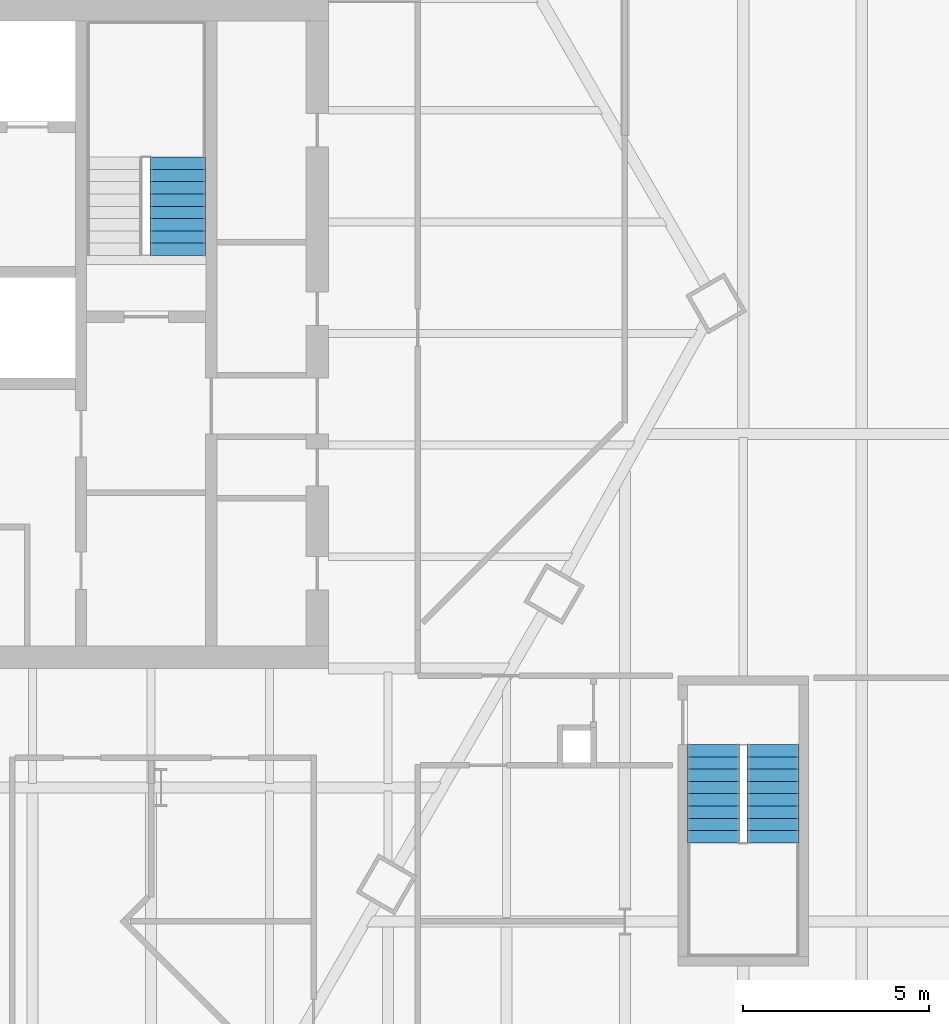
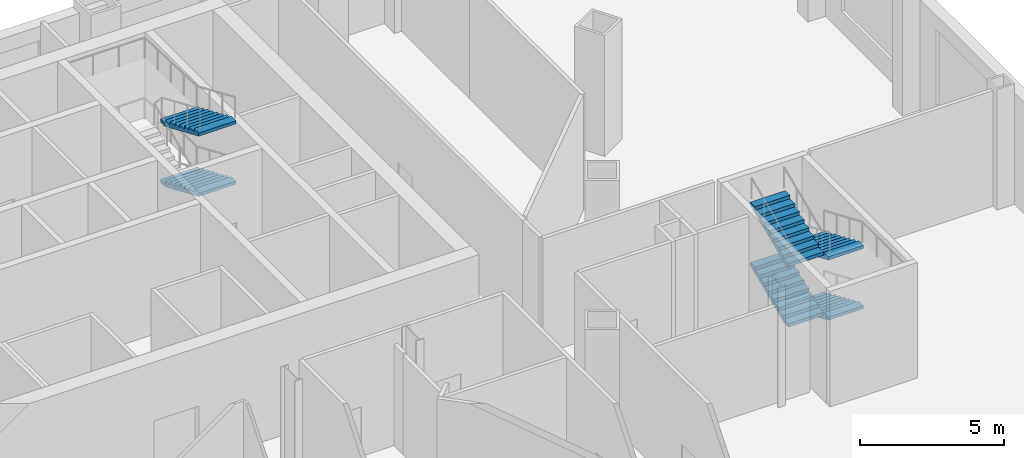
# One storey, part 19 of 21: 6 stair flights, 2 elements without a shape of their own.
"""IFC4 building model written with IfcOpenShell, lengths in metres."""

from ifc_helpers import new_model, si_unit, direction, frame, origin, place, context, subcontext, project, spatial, polygons, material, type_object, element, aggregate, save


model = new_model("IFC4")

# Units and contexts
model_context = context("Model", 3, precision=1e-05, world=origin(), true_north=direction((0.0, 1.0)))
body_context = subcontext(model_context, "Body", "Model", "MODEL_VIEW")
ifc_project = project(units=[si_unit("LENGTHUNIT", "METRE"), si_unit("AREAUNIT", "SQUARE_METRE"), si_unit("VOLUMEUNIT", "CUBIC_METRE"), si_unit("PLANEANGLEUNIT", "RADIAN"), si_unit("MASSUNIT", "GRAM", prefix="KILO")], contexts=[model_context])

# Site, building, storey
site_placement = place(None, origin())
site = spatial("IfcSite", under=ifc_project, at=site_placement, CompositionType="ELEMENT")
building_placement = place(site_placement, origin())
building = spatial("IfcBuilding", under=site, at=building_placement, Name="Njiva Tower", CompositionType="ELEMENT")
storey_placement = place(building_placement, frame((0.0, 0.0, 13.5)))
storey = spatial("IfcBuildingStorey", under=building, at=storey_placement, Name="L02", CompositionType="ELEMENT", Elevation=13.5)

# Stair, stair flights
ifc_material = material(Name="Concrete C40/50", Category="concrete")
stair_type_1 = type_object("IfcStairType", Name="ST2 Exit stair 1400", PredefinedType="HALF_TURN_STAIR", material=ifc_material)
stair_1_placement = place(storey_placement, origin())
stair_1 = element("IfcStair", 1, at=stair_1_placement, inside=storey, type_object=stair_type_1, Name="Stair G", PredefinedType="DOUBLE_RETURN_STAIR")
stair_flight_type_1 = type_object("IfcStairFlightType", Name="FL2 Stair flight 1400", PredefinedType="STRAIGHT", material=ifc_material)
stair_flight_1_placement = place(storey_placement, frame((29.45, -2.05, 0.0), z_axis=(0.0, 0.0, 1.0), x_axis=(0.0, -1.0, 0.0)))
stair_flight_1 = element("IfcStairFlight", 2, at=stair_flight_1_placement, type_object=stair_flight_type_1, Name="ST-G flight 1", NumberOfRisers=9, NumberOfTreads=8, PredefinedType="STRAIGHT", RiserHeight=0.141666667, TreadLength=0.33, context=body_context, shape_type="Tessellation", body=[
    polygons([(0.0, 0.7, 0.0), (0.0, 0.35, 0.0), (0.0, 0.0, 0.0), (0.0, -0.35, 0.0), (0.0, -0.7, 0.0), (0.0, 0.7, 0.1417), (0.0, 0.35, 0.1417), (0.0, 0.0, 0.1417), (0.0, -0.35, 0.1417), (0.0, -0.7, 0.1417), (0.33, 0.7, 0.1417), (0.33, 0.35, 0.1417), (0.33, 0.0, 0.1417), (0.33, -0.35, 0.1417), (0.33, -0.7, 0.1417), (0.33, 0.7, 0.2833), (0.33, 0.35, 0.2833), (0.33, 0.0, 0.2833), (0.33, -0.35, 0.2833), (0.33, -0.7, 0.2833), (0.66, 0.7, 0.2833), (0.66, 0.35, 0.2833), (0.66, 0.0, 0.2833), (0.66, -0.35, 0.2833), (0.66, -0.7, 0.2833), (0.66, 0.7, 0.425), (0.66, 0.35, 0.425), (0.66, 0.0, 0.425), (0.66, -0.35, 0.425), (0.66, -0.7, 0.425), (0.99, 0.7, 0.425), (0.99, 0.35, 0.425), (0.99, 0.0, 0.425), (0.99, -0.35, 0.425), (0.99, -0.7, 0.425), (0.99, 0.7, 0.5667), (0.99, 0.35, 0.5667), (0.99, 0.0, 0.5667), (0.99, -0.35, 0.5667), (0.99, -0.7, 0.5667), (1.32, 0.7, 0.5667), (1.32, 0.35, 0.5667), (1.32, 0.0, 0.5667), (1.32, -0.35, 0.5667), (1.32, -0.7, 0.5667), (1.32, 0.7, 0.7083), (1.32, 0.35, 0.7083), (1.32, 0.0, 0.7083), (1.32, -0.35, 0.7083), (1.32, -0.7, 0.7083), (1.65, 0.7, 0.7083), (1.65, 0.35, 0.7083), (1.65, 0.0, 0.7083), (1.65, -0.35, 0.7083), (1.65, -0.7, 0.7083), (1.65, 0.7, 0.85), (1.65, 0.35, 0.85), (1.65, 0.0, 0.85), (1.65, -0.35, 0.85), (1.65, -0.7, 0.85), (1.98, 0.7, 0.85), (1.98, 0.35, 0.85), (1.98, 0.0, 0.85), (1.98, -0.35, 0.85), (1.98, -0.7, 0.85), (1.98, 0.7, 0.9917), (1.98, 0.35, 0.9917), (1.98, 0.0, 0.9917), (1.98, -0.35, 0.9917), (1.98, -0.7, 0.9917), (2.31, 0.7, 0.9917), (2.31, 0.35, 0.9917), (2.31, 0.0, 0.9917), (2.31, -0.35, 0.9917), (2.31, -0.7, 0.9917), (2.31, 0.7, 1.1333), (2.31, 0.35, 1.1333), (2.31, 0.0, 1.1333), (2.31, -0.35, 1.1333), (2.31, -0.7, 1.1333), (2.64, 0.7, 1.1333), (2.64, 0.35, 1.1333), (2.64, 0.0, 1.1333), (2.64, -0.35, 1.1333), (2.64, -0.7, 1.1333), (2.64, 0.7, 1.0027), (2.64, 0.35, 1.0027), (2.64, 0.0, 1.0027), (2.64, -0.35, 1.0027), (2.64, -0.7, 1.0027), (0.3042, 0.7, 0.0), (0.3042, 0.35, 0.0), (0.3042, 0.0, 0.0), (0.3042, -0.35, 0.0), (0.3042, -0.7, 0.0)], [[[1, 6, 11, 16, 21, 26, 31, 36, 41, 46, 51, 56, 61, 66, 71, 76, 81, 86, 91]], [[95, 90, 85, 80, 75, 70, 65, 60, 55, 50, 45, 40, 35, 30, 25, 20, 15, 10, 5]], [[6, 1, 2, 7]], [[7, 2, 3, 8]], [[8, 3, 4, 9]], [[9, 4, 5, 10]], [[11, 6, 7, 12]], [[12, 7, 8, 13]], [[13, 8, 9, 14]], [[14, 9, 10, 15]], [[16, 11, 12, 17]], [[17, 12, 13, 18]], [[18, 13, 14, 19]], [[19, 14, 15, 20]], [[21, 16, 17, 22]], [[22, 17, 18, 23]], [[23, 18, 19, 24]], [[24, 19, 20, 25]], [[26, 21, 22, 27]], [[27, 22, 23, 28]], [[28, 23, 24, 29]], [[29, 24, 25, 30]], [[31, 26, 27, 32]], [[32, 27, 28, 33]], [[33, 28, 29, 34]], [[34, 29, 30, 35]], [[36, 31, 32, 37]], [[37, 32, 33, 38]], [[38, 33, 34, 39]], [[39, 34, 35, 40]], [[41, 36, 37, 42]], [[42, 37, 38, 43]], [[43, 38, 39, 44]], [[44, 39, 40, 45]], [[46, 41, 42, 47]], [[47, 42, 43, 48]], [[48, 43, 44, 49]], [[49, 44, 45, 50]], [[51, 46, 47, 52]], [[52, 47, 48, 53]], [[53, 48, 49, 54]], [[54, 49, 50, 55]], [[56, 51, 52, 57]], [[57, 52, 53, 58]], [[58, 53, 54, 59]], [[59, 54, 55, 60]], [[61, 56, 57, 62]], [[62, 57, 58, 63]], [[63, 58, 59, 64]], [[64, 59, 60, 65]], [[66, 61, 62, 67]], [[67, 62, 63, 68]], [[68, 63, 64, 69]], [[69, 64, 65, 70]], [[71, 66, 67, 72]], [[72, 67, 68, 73]], [[73, 68, 69, 74]], [[74, 69, 70, 75]], [[76, 71, 72, 77]], [[77, 72, 73, 78]], [[78, 73, 74, 79]], [[79, 74, 75, 80]], [[81, 76, 77, 82]], [[82, 77, 78, 83]], [[83, 78, 79, 84]], [[84, 79, 80, 85]], [[86, 81, 82, 87]], [[87, 82, 83, 88]], [[88, 83, 84, 89]], [[89, 84, 85, 90]], [[91, 86, 87, 92]], [[92, 87, 88, 93]], [[93, 88, 89, 94]], [[94, 89, 90, 95]], [[1, 91, 92, 2]], [[2, 92, 93, 3]], [[3, 93, 94, 4]], [[4, 94, 95, 5]]], closed=True),
])
stair_flight_2_placement = place(storey_placement, frame((27.85, -4.69, 1.275), z_axis=(0.0, 0.0, 1.0), x_axis=(0.0, 1.0, 0.0)))
stair_flight_2 = element("IfcStairFlight", 3, at=stair_flight_2_placement, type_object=stair_flight_type_1, Name="ST-G flight 2", NumberOfRisers=9, NumberOfTreads=8, PredefinedType="STRAIGHT", RiserHeight=0.141666667, TreadLength=0.33, context=body_context, shape_type="Tessellation", body=[
    polygons([(0.0, 0.7, 0.0), (0.0, 0.35, 0.0), (0.0, 0.0, 0.0), (0.0, -0.35, 0.0), (0.0, -0.7, 0.0), (0.0, 0.7, 0.1417), (0.0, 0.35, 0.1417), (0.0, 0.0, 0.1417), (0.0, -0.35, 0.1417), (0.0, -0.7, 0.1417), (0.33, 0.7, 0.1417), (0.33, 0.35, 0.1417), (0.33, 0.0, 0.1417), (0.33, -0.35, 0.1417), (0.33, -0.7, 0.1417), (0.33, 0.7, 0.2833), (0.33, 0.35, 0.2833), (0.33, 0.0, 0.2833), (0.33, -0.35, 0.2833), (0.33, -0.7, 0.2833), (0.66, 0.7, 0.2833), (0.66, 0.35, 0.2833), (0.66, 0.0, 0.2833), (0.66, -0.35, 0.2833), (0.66, -0.7, 0.2833), (0.66, 0.7, 0.425), (0.66, 0.35, 0.425), (0.66, 0.0, 0.425), (0.66, -0.35, 0.425), (0.66, -0.7, 0.425), (0.99, 0.7, 0.425), (0.99, 0.35, 0.425), (0.99, 0.0, 0.425), (0.99, -0.35, 0.425), (0.99, -0.7, 0.425), (0.99, 0.7, 0.5667), (0.99, 0.35, 0.5667), (0.99, 0.0, 0.5667), (0.99, -0.35, 0.5667), (0.99, -0.7, 0.5667), (1.32, 0.7, 0.5667), (1.32, 0.35, 0.5667), (1.32, 0.0, 0.5667), (1.32, -0.35, 0.5667), (1.32, -0.7, 0.5667), (1.32, 0.7, 0.7083), (1.32, 0.35, 0.7083), (1.32, 0.0, 0.7083), (1.32, -0.35, 0.7083), (1.32, -0.7, 0.7083), (1.65, 0.7, 0.7083), (1.65, 0.35, 0.7083), (1.65, 0.0, 0.7083), (1.65, -0.35, 0.7083), (1.65, -0.7, 0.7083), (1.65, 0.7, 0.85), (1.65, 0.35, 0.85), (1.65, 0.0, 0.85), (1.65, -0.35, 0.85), (1.65, -0.7, 0.85), (1.98, 0.7, 0.85), (1.98, 0.35, 0.85), (1.98, 0.0, 0.85), (1.98, -0.35, 0.85), (1.98, -0.7, 0.85), (1.98, 0.7, 0.9917), (1.98, 0.35, 0.9917), (1.98, 0.0, 0.9917), (1.98, -0.35, 0.9917), (1.98, -0.7, 0.9917), (2.31, 0.7, 0.9917), (2.31, 0.35, 0.9917), (2.31, 0.0, 0.9917), (2.31, -0.35, 0.9917), (2.31, -0.7, 0.9917), (2.31, 0.7, 1.1333), (2.31, 0.35, 1.1333), (2.31, 0.0, 1.1333), (2.31, -0.35, 1.1333), (2.31, -0.7, 1.1333), (2.64, 0.7, 1.1333), (2.64, 0.35, 1.1333), (2.64, 0.0, 1.1333), (2.64, -0.35, 1.1333), (2.64, -0.7, 1.1333), (2.64, 0.7, 1.0027), (2.64, 0.35, 1.0027), (2.64, 0.0, 1.0027), (2.64, -0.35, 1.0027), (2.64, -0.7, 1.0027), (0.3042, 0.7, 0.0), (0.3042, 0.35, 0.0), (0.3042, 0.0, 0.0), (0.3042, -0.35, 0.0), (0.3042, -0.7, 0.0)], [[[1, 6, 11, 16, 21, 26, 31, 36, 41, 46, 51, 56, 61, 66, 71, 76, 81, 86, 91]], [[95, 90, 85, 80, 75, 70, 65, 60, 55, 50, 45, 40, 35, 30, 25, 20, 15, 10, 5]], [[6, 1, 2, 7]], [[7, 2, 3, 8]], [[8, 3, 4, 9]], [[9, 4, 5, 10]], [[11, 6, 7, 12]], [[12, 7, 8, 13]], [[13, 8, 9, 14]], [[14, 9, 10, 15]], [[16, 11, 12, 17]], [[17, 12, 13, 18]], [[18, 13, 14, 19]], [[19, 14, 15, 20]], [[21, 16, 17, 22]], [[22, 17, 18, 23]], [[23, 18, 19, 24]], [[24, 19, 20, 25]], [[26, 21, 22, 27]], [[27, 22, 23, 28]], [[28, 23, 24, 29]], [[29, 24, 25, 30]], [[31, 26, 27, 32]], [[32, 27, 28, 33]], [[33, 28, 29, 34]], [[34, 29, 30, 35]], [[36, 31, 32, 37]], [[37, 32, 33, 38]], [[38, 33, 34, 39]], [[39, 34, 35, 40]], [[41, 36, 37, 42]], [[42, 37, 38, 43]], [[43, 38, 39, 44]], [[44, 39, 40, 45]], [[46, 41, 42, 47]], [[47, 42, 43, 48]], [[48, 43, 44, 49]], [[49, 44, 45, 50]], [[51, 46, 47, 52]], [[52, 47, 48, 53]], [[53, 48, 49, 54]], [[54, 49, 50, 55]], [[56, 51, 52, 57]], [[57, 52, 53, 58]], [[58, 53, 54, 59]], [[59, 54, 55, 60]], [[61, 56, 57, 62]], [[62, 57, 58, 63]], [[63, 58, 59, 64]], [[64, 59, 60, 65]], [[66, 61, 62, 67]], [[67, 62, 63, 68]], [[68, 63, 64, 69]], [[69, 64, 65, 70]], [[71, 66, 67, 72]], [[72, 67, 68, 73]], [[73, 68, 69, 74]], [[74, 69, 70, 75]], [[76, 71, 72, 77]], [[77, 72, 73, 78]], [[78, 73, 74, 79]], [[79, 74, 75, 80]], [[81, 76, 77, 82]], [[82, 77, 78, 83]], [[83, 78, 79, 84]], [[84, 79, 80, 85]], [[86, 81, 82, 87]], [[87, 82, 83, 88]], [[88, 83, 84, 89]], [[89, 84, 85, 90]], [[91, 86, 87, 92]], [[92, 87, 88, 93]], [[93, 88, 89, 94]], [[94, 89, 90, 95]], [[1, 91, 92, 2]], [[2, 92, 93, 3]], [[3, 93, 94, 4]], [[4, 94, 95, 5]]], closed=True),
])
stair_flight_3_placement = place(storey_placement, frame((29.45, -2.05, 2.55), z_axis=(0.0, 0.0, 1.0), x_axis=(0.0, -1.0, 0.0)))
stair_flight_3 = element("IfcStairFlight", 4, at=stair_flight_3_placement, type_object=stair_flight_type_1, Name="ST-G flight 3", NumberOfRisers=9, NumberOfTreads=8, PredefinedType="STRAIGHT", RiserHeight=0.141666667, TreadLength=0.33, context=body_context, shape_type="Tessellation", body=[
    polygons([(0.0, 0.7, 0.0), (0.0, 0.35, 0.0), (0.0, 0.0, 0.0), (0.0, -0.35, 0.0), (0.0, -0.7, 0.0), (0.0, 0.7, 0.1417), (0.0, 0.35, 0.1417), (0.0, 0.0, 0.1417), (0.0, -0.35, 0.1417), (0.0, -0.7, 0.1417), (0.33, 0.7, 0.1417), (0.33, 0.35, 0.1417), (0.33, 0.0, 0.1417), (0.33, -0.35, 0.1417), (0.33, -0.7, 0.1417), (0.33, 0.7, 0.2833), (0.33, 0.35, 0.2833), (0.33, 0.0, 0.2833), (0.33, -0.35, 0.2833), (0.33, -0.7, 0.2833), (0.66, 0.7, 0.2833), (0.66, 0.35, 0.2833), (0.66, 0.0, 0.2833), (0.66, -0.35, 0.2833), (0.66, -0.7, 0.2833), (0.66, 0.7, 0.425), (0.66, 0.35, 0.425), (0.66, 0.0, 0.425), (0.66, -0.35, 0.425), (0.66, -0.7, 0.425), (0.99, 0.7, 0.425), (0.99, 0.35, 0.425), (0.99, 0.0, 0.425), (0.99, -0.35, 0.425), (0.99, -0.7, 0.425), (0.99, 0.7, 0.5667), (0.99, 0.35, 0.5667), (0.99, 0.0, 0.5667), (0.99, -0.35, 0.5667), (0.99, -0.7, 0.5667), (1.32, 0.7, 0.5667), (1.32, 0.35, 0.5667), (1.32, 0.0, 0.5667), (1.32, -0.35, 0.5667), (1.32, -0.7, 0.5667), (1.32, 0.7, 0.7083), (1.32, 0.35, 0.7083), (1.32, 0.0, 0.7083), (1.32, -0.35, 0.7083), (1.32, -0.7, 0.7083), (1.65, 0.7, 0.7083), (1.65, 0.35, 0.7083), (1.65, 0.0, 0.7083), (1.65, -0.35, 0.7083), (1.65, -0.7, 0.7083), (1.65, 0.7, 0.85), (1.65, 0.35, 0.85), (1.65, 0.0, 0.85), (1.65, -0.35, 0.85), (1.65, -0.7, 0.85), (1.98, 0.7, 0.85), (1.98, 0.35, 0.85), (1.98, 0.0, 0.85), (1.98, -0.35, 0.85), (1.98, -0.7, 0.85), (1.98, 0.7, 0.9917), (1.98, 0.35, 0.9917), (1.98, 0.0, 0.9917), (1.98, -0.35, 0.9917), (1.98, -0.7, 0.9917), (2.31, 0.7, 0.9917), (2.31, 0.35, 0.9917), (2.31, 0.0, 0.9917), (2.31, -0.35, 0.9917), (2.31, -0.7, 0.9917), (2.31, 0.7, 1.1333), (2.31, 0.35, 1.1333), (2.31, 0.0, 1.1333), (2.31, -0.35, 1.1333), (2.31, -0.7, 1.1333), (2.64, 0.7, 1.1333), (2.64, 0.35, 1.1333), (2.64, 0.0, 1.1333), (2.64, -0.35, 1.1333), (2.64, -0.7, 1.1333), (2.64, 0.7, 1.0027), (2.64, 0.35, 1.0027), (2.64, 0.0, 1.0027), (2.64, -0.35, 1.0027), (2.64, -0.7, 1.0027), (0.3042, 0.7, 0.0), (0.3042, 0.35, 0.0), (0.3042, 0.0, 0.0), (0.3042, -0.35, 0.0), (0.3042, -0.7, 0.0)], [[[1, 6, 11, 16, 21, 26, 31, 36, 41, 46, 51, 56, 61, 66, 71, 76, 81, 86, 91]], [[95, 90, 85, 80, 75, 70, 65, 60, 55, 50, 45, 40, 35, 30, 25, 20, 15, 10, 5]], [[6, 1, 2, 7]], [[7, 2, 3, 8]], [[8, 3, 4, 9]], [[9, 4, 5, 10]], [[11, 6, 7, 12]], [[12, 7, 8, 13]], [[13, 8, 9, 14]], [[14, 9, 10, 15]], [[16, 11, 12, 17]], [[17, 12, 13, 18]], [[18, 13, 14, 19]], [[19, 14, 15, 20]], [[21, 16, 17, 22]], [[22, 17, 18, 23]], [[23, 18, 19, 24]], [[24, 19, 20, 25]], [[26, 21, 22, 27]], [[27, 22, 23, 28]], [[28, 23, 24, 29]], [[29, 24, 25, 30]], [[31, 26, 27, 32]], [[32, 27, 28, 33]], [[33, 28, 29, 34]], [[34, 29, 30, 35]], [[36, 31, 32, 37]], [[37, 32, 33, 38]], [[38, 33, 34, 39]], [[39, 34, 35, 40]], [[41, 36, 37, 42]], [[42, 37, 38, 43]], [[43, 38, 39, 44]], [[44, 39, 40, 45]], [[46, 41, 42, 47]], [[47, 42, 43, 48]], [[48, 43, 44, 49]], [[49, 44, 45, 50]], [[51, 46, 47, 52]], [[52, 47, 48, 53]], [[53, 48, 49, 54]], [[54, 49, 50, 55]], [[56, 51, 52, 57]], [[57, 52, 53, 58]], [[58, 53, 54, 59]], [[59, 54, 55, 60]], [[61, 56, 57, 62]], [[62, 57, 58, 63]], [[63, 58, 59, 64]], [[64, 59, 60, 65]], [[66, 61, 62, 67]], [[67, 62, 63, 68]], [[68, 63, 64, 69]], [[69, 64, 65, 70]], [[71, 66, 67, 72]], [[72, 67, 68, 73]], [[73, 68, 69, 74]], [[74, 69, 70, 75]], [[76, 71, 72, 77]], [[77, 72, 73, 78]], [[78, 73, 74, 79]], [[79, 74, 75, 80]], [[81, 76, 77, 82]], [[82, 77, 78, 83]], [[83, 78, 79, 84]], [[84, 79, 80, 85]], [[86, 81, 82, 87]], [[87, 82, 83, 88]], [[88, 83, 84, 89]], [[89, 84, 85, 90]], [[91, 86, 87, 92]], [[92, 87, 88, 93]], [[93, 88, 89, 94]], [[94, 89, 90, 95]], [[1, 91, 92, 2]], [[2, 92, 93, 3]], [[3, 93, 94, 4]], [[4, 94, 95, 5]]], closed=True),
])
stair_flight_4_placement = place(storey_placement, frame((27.85, -4.69, 3.825), z_axis=(0.0, 0.0, 1.0), x_axis=(0.0, 1.0, 0.0)))
stair_flight_4 = element("IfcStairFlight", 5, at=stair_flight_4_placement, type_object=stair_flight_type_1, Name="ST-G flight 4", NumberOfRisers=9, NumberOfTreads=8, PredefinedType="STRAIGHT", RiserHeight=0.141666667, TreadLength=0.33, context=body_context, shape_type="Tessellation", body=[
    polygons([(0.0, 0.7, 0.0), (0.0, 0.35, 0.0), (0.0, 0.0, 0.0), (0.0, -0.35, 0.0), (0.0, -0.7, 0.0), (0.0, 0.7, 0.1417), (0.0, 0.35, 0.1417), (0.0, 0.0, 0.1417), (0.0, -0.35, 0.1417), (0.0, -0.7, 0.1417), (0.33, 0.7, 0.1417), (0.33, 0.35, 0.1417), (0.33, 0.0, 0.1417), (0.33, -0.35, 0.1417), (0.33, -0.7, 0.1417), (0.33, 0.7, 0.2833), (0.33, 0.35, 0.2833), (0.33, 0.0, 0.2833), (0.33, -0.35, 0.2833), (0.33, -0.7, 0.2833), (0.66, 0.7, 0.2833), (0.66, 0.35, 0.2833), (0.66, 0.0, 0.2833), (0.66, -0.35, 0.2833), (0.66, -0.7, 0.2833), (0.66, 0.7, 0.425), (0.66, 0.35, 0.425), (0.66, 0.0, 0.425), (0.66, -0.35, 0.425), (0.66, -0.7, 0.425), (0.99, 0.7, 0.425), (0.99, 0.35, 0.425), (0.99, 0.0, 0.425), (0.99, -0.35, 0.425), (0.99, -0.7, 0.425), (0.99, 0.7, 0.5667), (0.99, 0.35, 0.5667), (0.99, 0.0, 0.5667), (0.99, -0.35, 0.5667), (0.99, -0.7, 0.5667), (1.32, 0.7, 0.5667), (1.32, 0.35, 0.5667), (1.32, 0.0, 0.5667), (1.32, -0.35, 0.5667), (1.32, -0.7, 0.5667), (1.32, 0.7, 0.7083), (1.32, 0.35, 0.7083), (1.32, 0.0, 0.7083), (1.32, -0.35, 0.7083), (1.32, -0.7, 0.7083), (1.65, 0.7, 0.7083), (1.65, 0.35, 0.7083), (1.65, 0.0, 0.7083), (1.65, -0.35, 0.7083), (1.65, -0.7, 0.7083), (1.65, 0.7, 0.85), (1.65, 0.35, 0.85), (1.65, 0.0, 0.85), (1.65, -0.35, 0.85), (1.65, -0.7, 0.85), (1.98, 0.7, 0.85), (1.98, 0.35, 0.85), (1.98, 0.0, 0.85), (1.98, -0.35, 0.85), (1.98, -0.7, 0.85), (1.98, 0.7, 0.9917), (1.98, 0.35, 0.9917), (1.98, 0.0, 0.9917), (1.98, -0.35, 0.9917), (1.98, -0.7, 0.9917), (2.31, 0.7, 0.9917), (2.31, 0.35, 0.9917), (2.31, 0.0, 0.9917), (2.31, -0.35, 0.9917), (2.31, -0.7, 0.9917), (2.31, 0.7, 1.1333), (2.31, 0.35, 1.1333), (2.31, 0.0, 1.1333), (2.31, -0.35, 1.1333), (2.31, -0.7, 1.1333), (2.64, 0.7, 1.1333), (2.64, 0.35, 1.1333), (2.64, 0.0, 1.1333), (2.64, -0.35, 1.1333), (2.64, -0.7, 1.1333), (2.64, 0.7, 1.0027), (2.64, 0.35, 1.0027), (2.64, 0.0, 1.0027), (2.64, -0.35, 1.0027), (2.64, -0.7, 1.0027), (0.3042, 0.7, 0.0), (0.3042, 0.35, 0.0), (0.3042, 0.0, 0.0), (0.3042, -0.35, 0.0), (0.3042, -0.7, 0.0)], [[[1, 6, 11, 16, 21, 26, 31, 36, 41, 46, 51, 56, 61, 66, 71, 76, 81, 86, 91]], [[95, 90, 85, 80, 75, 70, 65, 60, 55, 50, 45, 40, 35, 30, 25, 20, 15, 10, 5]], [[6, 1, 2, 7]], [[7, 2, 3, 8]], [[8, 3, 4, 9]], [[9, 4, 5, 10]], [[11, 6, 7, 12]], [[12, 7, 8, 13]], [[13, 8, 9, 14]], [[14, 9, 10, 15]], [[16, 11, 12, 17]], [[17, 12, 13, 18]], [[18, 13, 14, 19]], [[19, 14, 15, 20]], [[21, 16, 17, 22]], [[22, 17, 18, 23]], [[23, 18, 19, 24]], [[24, 19, 20, 25]], [[26, 21, 22, 27]], [[27, 22, 23, 28]], [[28, 23, 24, 29]], [[29, 24, 25, 30]], [[31, 26, 27, 32]], [[32, 27, 28, 33]], [[33, 28, 29, 34]], [[34, 29, 30, 35]], [[36, 31, 32, 37]], [[37, 32, 33, 38]], [[38, 33, 34, 39]], [[39, 34, 35, 40]], [[41, 36, 37, 42]], [[42, 37, 38, 43]], [[43, 38, 39, 44]], [[44, 39, 40, 45]], [[46, 41, 42, 47]], [[47, 42, 43, 48]], [[48, 43, 44, 49]], [[49, 44, 45, 50]], [[51, 46, 47, 52]], [[52, 47, 48, 53]], [[53, 48, 49, 54]], [[54, 49, 50, 55]], [[56, 51, 52, 57]], [[57, 52, 53, 58]], [[58, 53, 54, 59]], [[59, 54, 55, 60]], [[61, 56, 57, 62]], [[62, 57, 58, 63]], [[63, 58, 59, 64]], [[64, 59, 60, 65]], [[66, 61, 62, 67]], [[67, 62, 63, 68]], [[68, 63, 64, 69]], [[69, 64, 65, 70]], [[71, 66, 67, 72]], [[72, 67, 68, 73]], [[73, 68, 69, 74]], [[74, 69, 70, 75]], [[76, 71, 72, 77]], [[77, 72, 73, 78]], [[78, 73, 74, 79]], [[79, 74, 75, 80]], [[81, 76, 77, 82]], [[82, 77, 78, 83]], [[83, 78, 79, 84]], [[84, 79, 80, 85]], [[86, 81, 82, 87]], [[87, 82, 83, 88]], [[88, 83, 84, 89]], [[89, 84, 85, 90]], [[91, 86, 87, 92]], [[92, 87, 88, 93]], [[93, 88, 89, 94]], [[94, 89, 90, 95]], [[1, 91, 92, 2]], [[2, 92, 93, 3]], [[3, 93, 94, 4]], [[4, 94, 95, 5]]], closed=True),
])
aggregate(stair_1, [stair_flight_1, stair_flight_2, stair_flight_3, stair_flight_4])

stair_type_2 = type_object("IfcStairType", Name="ST4 Exit stair 1500", PredefinedType="HALF_TURN_STAIR", material=ifc_material)
stair_2_placement = place(storey_placement, origin())
stair_2 = element("IfcStair", 6, at=stair_2_placement, inside=storey, type_object=stair_type_2, Name="Stair B", PredefinedType="DOUBLE_RETURN_STAIR")
stair_flight_type_2 = type_object("IfcStairFlightType", Name="FL4 Stair flight 1500", PredefinedType="STRAIGHT", material=ifc_material)
stair_flight_5_placement = place(storey_placement, frame((13.45, 13.74, 1.275), z_axis=(0.0, 0.0, 1.0), x_axis=(0.0, -1.0, 0.0)))
stair_flight_5 = element("IfcStairFlight", 7, at=stair_flight_5_placement, type_object=stair_flight_type_2, Name="ST-B flight 2", NumberOfRisers=9, NumberOfTreads=8, PredefinedType="STRAIGHT", RiserHeight=0.141666667, TreadLength=0.33, context=body_context, shape_type="Tessellation", body=[
    polygons([(0.0, 0.75, 0.0), (0.0, 0.375, 0.0), (0.0, 0.0, 0.0), (0.0, -0.375, 0.0), (0.0, -0.75, 0.0), (0.0, 0.75, 0.1417), (0.0, 0.375, 0.1417), (0.0, 0.0, 0.1417), (0.0, -0.375, 0.1417), (0.0, -0.75, 0.1417), (0.33, 0.75, 0.1417), (0.33, 0.375, 0.1417), (0.33, 0.0, 0.1417), (0.33, -0.375, 0.1417), (0.33, -0.75, 0.1417), (0.33, 0.75, 0.2833), (0.33, 0.375, 0.2833), (0.33, 0.0, 0.2833), (0.33, -0.375, 0.2833), (0.33, -0.75, 0.2833), (0.66, 0.75, 0.2833), (0.66, 0.375, 0.2833), (0.66, 0.0, 0.2833), (0.66, -0.375, 0.2833), (0.66, -0.75, 0.2833), (0.66, 0.75, 0.425), (0.66, 0.375, 0.425), (0.66, 0.0, 0.425), (0.66, -0.375, 0.425), (0.66, -0.75, 0.425), (0.99, 0.75, 0.425), (0.99, 0.375, 0.425), (0.99, 0.0, 0.425), (0.99, -0.375, 0.425), (0.99, -0.75, 0.425), (0.99, 0.75, 0.5667), (0.99, 0.375, 0.5667), (0.99, 0.0, 0.5667), (0.99, -0.375, 0.5667), (0.99, -0.75, 0.5667), (1.32, 0.75, 0.5667), (1.32, 0.375, 0.5667), (1.32, 0.0, 0.5667), (1.32, -0.375, 0.5667), (1.32, -0.75, 0.5667), (1.32, 0.75, 0.7083), (1.32, 0.375, 0.7083), (1.32, 0.0, 0.7083), (1.32, -0.375, 0.7083), (1.32, -0.75, 0.7083), (1.65, 0.75, 0.7083), (1.65, 0.375, 0.7083), (1.65, 0.0, 0.7083), (1.65, -0.375, 0.7083), (1.65, -0.75, 0.7083), (1.65, 0.75, 0.85), (1.65, 0.375, 0.85), (1.65, 0.0, 0.85), (1.65, -0.375, 0.85), (1.65, -0.75, 0.85), (1.98, 0.75, 0.85), (1.98, 0.375, 0.85), (1.98, 0.0, 0.85), (1.98, -0.375, 0.85), (1.98, -0.75, 0.85), (1.98, 0.75, 0.9917), (1.98, 0.375, 0.9917), (1.98, 0.0, 0.9917), (1.98, -0.375, 0.9917), (1.98, -0.75, 0.9917), (2.31, 0.75, 0.9917), (2.31, 0.375, 0.9917), (2.31, 0.0, 0.9917), (2.31, -0.375, 0.9917), (2.31, -0.75, 0.9917), (2.31, 0.75, 1.1333), (2.31, 0.375, 1.1333), (2.31, 0.0, 1.1333), (2.31, -0.375, 1.1333), (2.31, -0.75, 1.1333), (2.64, 0.75, 1.1333), (2.64, 0.375, 1.1333), (2.64, 0.0, 1.1333), (2.64, -0.375, 1.1333), (2.64, -0.75, 1.1333), (2.64, 0.75, 1.0027), (2.64, 0.375, 1.0027), (2.64, 0.0, 1.0027), (2.64, -0.375, 1.0027), (2.64, -0.75, 1.0027), (0.3042, 0.75, 0.0), (0.3042, 0.375, 0.0), (0.3042, 0.0, 0.0), (0.3042, -0.375, 0.0), (0.3042, -0.75, 0.0)], [[[1, 6, 11, 16, 21, 26, 31, 36, 41, 46, 51, 56, 61, 66, 71, 76, 81, 86, 91]], [[95, 90, 85, 80, 75, 70, 65, 60, 55, 50, 45, 40, 35, 30, 25, 20, 15, 10, 5]], [[6, 1, 2, 7]], [[7, 2, 3, 8]], [[8, 3, 4, 9]], [[9, 4, 5, 10]], [[11, 6, 7, 12]], [[12, 7, 8, 13]], [[13, 8, 9, 14]], [[14, 9, 10, 15]], [[16, 11, 12, 17]], [[17, 12, 13, 18]], [[18, 13, 14, 19]], [[19, 14, 15, 20]], [[21, 16, 17, 22]], [[22, 17, 18, 23]], [[23, 18, 19, 24]], [[24, 19, 20, 25]], [[26, 21, 22, 27]], [[27, 22, 23, 28]], [[28, 23, 24, 29]], [[29, 24, 25, 30]], [[31, 26, 27, 32]], [[32, 27, 28, 33]], [[33, 28, 29, 34]], [[34, 29, 30, 35]], [[36, 31, 32, 37]], [[37, 32, 33, 38]], [[38, 33, 34, 39]], [[39, 34, 35, 40]], [[41, 36, 37, 42]], [[42, 37, 38, 43]], [[43, 38, 39, 44]], [[44, 39, 40, 45]], [[46, 41, 42, 47]], [[47, 42, 43, 48]], [[48, 43, 44, 49]], [[49, 44, 45, 50]], [[51, 46, 47, 52]], [[52, 47, 48, 53]], [[53, 48, 49, 54]], [[54, 49, 50, 55]], [[56, 51, 52, 57]], [[57, 52, 53, 58]], [[58, 53, 54, 59]], [[59, 54, 55, 60]], [[61, 56, 57, 62]], [[62, 57, 58, 63]], [[63, 58, 59, 64]], [[64, 59, 60, 65]], [[66, 61, 62, 67]], [[67, 62, 63, 68]], [[68, 63, 64, 69]], [[69, 64, 65, 70]], [[71, 66, 67, 72]], [[72, 67, 68, 73]], [[73, 68, 69, 74]], [[74, 69, 70, 75]], [[76, 71, 72, 77]], [[77, 72, 73, 78]], [[78, 73, 74, 79]], [[79, 74, 75, 80]], [[81, 76, 77, 82]], [[82, 77, 78, 83]], [[83, 78, 79, 84]], [[84, 79, 80, 85]], [[86, 81, 82, 87]], [[87, 82, 83, 88]], [[88, 83, 84, 89]], [[89, 84, 85, 90]], [[91, 86, 87, 92]], [[92, 87, 88, 93]], [[93, 88, 89, 94]], [[94, 89, 90, 95]], [[1, 91, 92, 2]], [[2, 92, 93, 3]], [[3, 93, 94, 4]], [[4, 94, 95, 5]]], closed=True),
])
stair_flight_6_placement = place(storey_placement, frame((13.45, 13.74, 3.825), z_axis=(0.0, 0.0, 1.0), x_axis=(0.0, -1.0, 0.0)))
stair_flight_6 = element("IfcStairFlight", 8, at=stair_flight_6_placement, type_object=stair_flight_type_2, Name="ST-B flight 4", NumberOfRisers=9, NumberOfTreads=8, PredefinedType="STRAIGHT", RiserHeight=0.141666667, TreadLength=0.33, context=body_context, shape_type="Tessellation", body=[
    polygons([(0.0, 0.75, 0.0), (0.0, 0.375, 0.0), (0.0, 0.0, 0.0), (0.0, -0.375, 0.0), (0.0, -0.75, 0.0), (0.0, 0.75, 0.1417), (0.0, 0.375, 0.1417), (0.0, 0.0, 0.1417), (0.0, -0.375, 0.1417), (0.0, -0.75, 0.1417), (0.33, 0.75, 0.1417), (0.33, 0.375, 0.1417), (0.33, 0.0, 0.1417), (0.33, -0.375, 0.1417), (0.33, -0.75, 0.1417), (0.33, 0.75, 0.2833), (0.33, 0.375, 0.2833), (0.33, 0.0, 0.2833), (0.33, -0.375, 0.2833), (0.33, -0.75, 0.2833), (0.66, 0.75, 0.2833), (0.66, 0.375, 0.2833), (0.66, 0.0, 0.2833), (0.66, -0.375, 0.2833), (0.66, -0.75, 0.2833), (0.66, 0.75, 0.425), (0.66, 0.375, 0.425), (0.66, 0.0, 0.425), (0.66, -0.375, 0.425), (0.66, -0.75, 0.425), (0.99, 0.75, 0.425), (0.99, 0.375, 0.425), (0.99, 0.0, 0.425), (0.99, -0.375, 0.425), (0.99, -0.75, 0.425), (0.99, 0.75, 0.5667), (0.99, 0.375, 0.5667), (0.99, 0.0, 0.5667), (0.99, -0.375, 0.5667), (0.99, -0.75, 0.5667), (1.32, 0.75, 0.5667), (1.32, 0.375, 0.5667), (1.32, 0.0, 0.5667), (1.32, -0.375, 0.5667), (1.32, -0.75, 0.5667), (1.32, 0.75, 0.7083), (1.32, 0.375, 0.7083), (1.32, 0.0, 0.7083), (1.32, -0.375, 0.7083), (1.32, -0.75, 0.7083), (1.65, 0.75, 0.7083), (1.65, 0.375, 0.7083), (1.65, 0.0, 0.7083), (1.65, -0.375, 0.7083), (1.65, -0.75, 0.7083), (1.65, 0.75, 0.85), (1.65, 0.375, 0.85), (1.65, 0.0, 0.85), (1.65, -0.375, 0.85), (1.65, -0.75, 0.85), (1.98, 0.75, 0.85), (1.98, 0.375, 0.85), (1.98, 0.0, 0.85), (1.98, -0.375, 0.85), (1.98, -0.75, 0.85), (1.98, 0.75, 0.9917), (1.98, 0.375, 0.9917), (1.98, 0.0, 0.9917), (1.98, -0.375, 0.9917), (1.98, -0.75, 0.9917), (2.31, 0.75, 0.9917), (2.31, 0.375, 0.9917), (2.31, 0.0, 0.9917), (2.31, -0.375, 0.9917), (2.31, -0.75, 0.9917), (2.31, 0.75, 1.1333), (2.31, 0.375, 1.1333), (2.31, 0.0, 1.1333), (2.31, -0.375, 1.1333), (2.31, -0.75, 1.1333), (2.64, 0.75, 1.1333), (2.64, 0.375, 1.1333), (2.64, 0.0, 1.1333), (2.64, -0.375, 1.1333), (2.64, -0.75, 1.1333), (2.64, 0.75, 1.0027), (2.64, 0.375, 1.0027), (2.64, 0.0, 1.0027), (2.64, -0.375, 1.0027), (2.64, -0.75, 1.0027), (0.3042, 0.75, 0.0), (0.3042, 0.375, 0.0), (0.3042, 0.0, 0.0), (0.3042, -0.375, 0.0), (0.3042, -0.75, 0.0)], [[[1, 6, 11, 16, 21, 26, 31, 36, 41, 46, 51, 56, 61, 66, 71, 76, 81, 86, 91]], [[95, 90, 85, 80, 75, 70, 65, 60, 55, 50, 45, 40, 35, 30, 25, 20, 15, 10, 5]], [[6, 1, 2, 7]], [[7, 2, 3, 8]], [[8, 3, 4, 9]], [[9, 4, 5, 10]], [[11, 6, 7, 12]], [[12, 7, 8, 13]], [[13, 8, 9, 14]], [[14, 9, 10, 15]], [[16, 11, 12, 17]], [[17, 12, 13, 18]], [[18, 13, 14, 19]], [[19, 14, 15, 20]], [[21, 16, 17, 22]], [[22, 17, 18, 23]], [[23, 18, 19, 24]], [[24, 19, 20, 25]], [[26, 21, 22, 27]], [[27, 22, 23, 28]], [[28, 23, 24, 29]], [[29, 24, 25, 30]], [[31, 26, 27, 32]], [[32, 27, 28, 33]], [[33, 28, 29, 34]], [[34, 29, 30, 35]], [[36, 31, 32, 37]], [[37, 32, 33, 38]], [[38, 33, 34, 39]], [[39, 34, 35, 40]], [[41, 36, 37, 42]], [[42, 37, 38, 43]], [[43, 38, 39, 44]], [[44, 39, 40, 45]], [[46, 41, 42, 47]], [[47, 42, 43, 48]], [[48, 43, 44, 49]], [[49, 44, 45, 50]], [[51, 46, 47, 52]], [[52, 47, 48, 53]], [[53, 48, 49, 54]], [[54, 49, 50, 55]], [[56, 51, 52, 57]], [[57, 52, 53, 58]], [[58, 53, 54, 59]], [[59, 54, 55, 60]], [[61, 56, 57, 62]], [[62, 57, 58, 63]], [[63, 58, 59, 64]], [[64, 59, 60, 65]], [[66, 61, 62, 67]], [[67, 62, 63, 68]], [[68, 63, 64, 69]], [[69, 64, 65, 70]], [[71, 66, 67, 72]], [[72, 67, 68, 73]], [[73, 68, 69, 74]], [[74, 69, 70, 75]], [[76, 71, 72, 77]], [[77, 72, 73, 78]], [[78, 73, 74, 79]], [[79, 74, 75, 80]], [[81, 76, 77, 82]], [[82, 77, 78, 83]], [[83, 78, 79, 84]], [[84, 79, 80, 85]], [[86, 81, 82, 87]], [[87, 82, 83, 88]], [[88, 83, 84, 89]], [[89, 84, 85, 90]], [[91, 86, 87, 92]], [[92, 87, 88, 93]], [[93, 88, 89, 94]], [[94, 89, 90, 95]], [[1, 91, 92, 2]], [[2, 92, 93, 3]], [[3, 93, 94, 4]], [[4, 94, 95, 5]]], closed=True),
])
aggregate(stair_2, [stair_flight_5, stair_flight_6])

save(model, "model.ifc")
